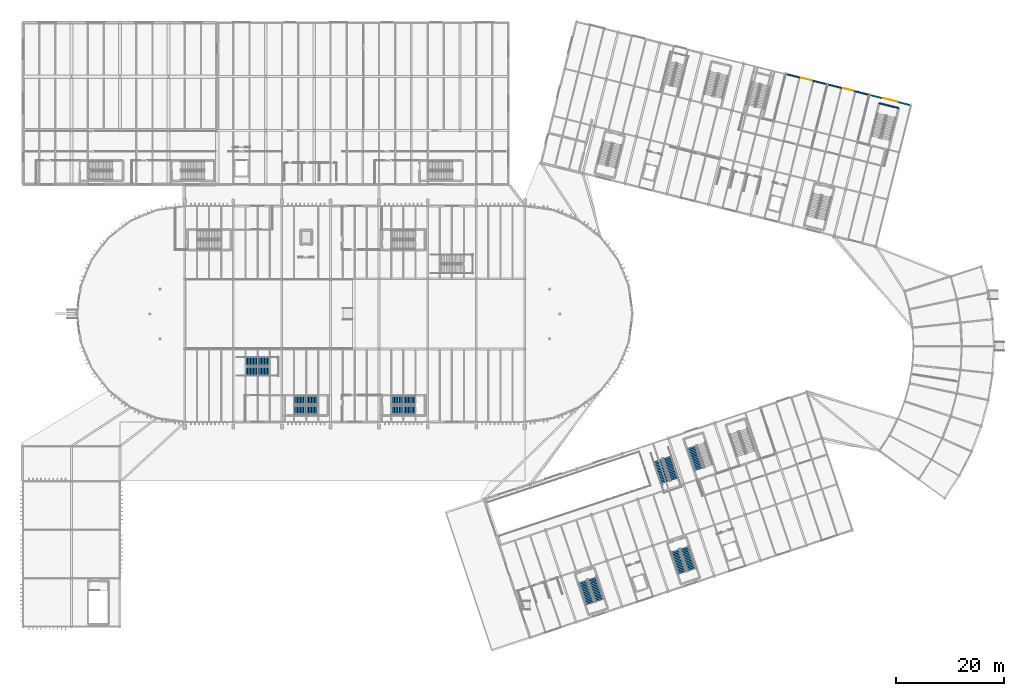
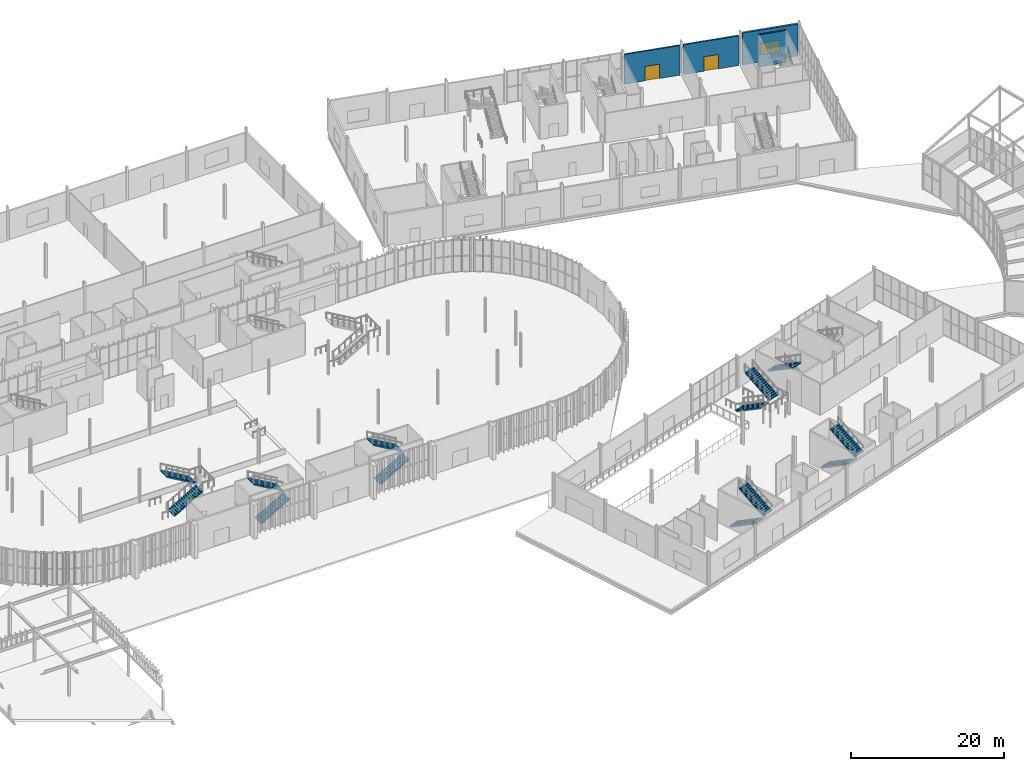
# One storey, part 130 of 158: 13 stair flights, 4 walls, 2 doors, 1 window, 3 openings, 7 elements without a shape of their own.
"""IFC4 building model written with IfcOpenShell, lengths in metres."""

from ifc_helpers import new_model, si_unit, derived_unit, direction, frame, frame_2d, origin, place, context, subcontext, project, spatial, polyline, rectangle, outline, extrude, material, layer, layer_set, type_object, element, fill, aggregate, save


model = new_model("IFC4")

# Units and contexts
model_context = context("Model", 3, precision=1e-05, world=origin(), true_north=direction((0.0, 1.0)))
body_context = subcontext(model_context, "Body", "Model", "MODEL_VIEW")
ifc_project = project(units=[si_unit("LENGTHUNIT", "METRE"), si_unit("AREAUNIT", "SQUARE_METRE"), si_unit("VOLUMEUNIT", "CUBIC_METRE"), si_unit("PLANEANGLEUNIT", "RADIAN"), si_unit("MASSUNIT", "GRAM", prefix="KILO"), si_unit("THERMODYNAMICTEMPERATUREUNIT", "KELVIN"), si_unit("TIMEUNIT", "SECOND"), derived_unit("THERMALTRANSMITTANCEUNIT", [(si_unit("MASSUNIT", "GRAM", prefix="KILO"), 1), (si_unit("THERMODYNAMICTEMPERATUREUNIT", "KELVIN"), -1), (si_unit("TIMEUNIT", "SECOND"), -3)])], contexts=[model_context])

# Site, building, storey
site_placement = place(None, origin())
site = spatial("IfcSite", under=ifc_project, at=site_placement, CompositionType="ELEMENT")
building_placement = place(site_placement, origin())
building = spatial("IfcBuilding", under=site, at=building_placement, Name="Cambertide Market Hall", CompositionType="ELEMENT")
storey_placement = place(building_placement, origin())
storey = spatial("IfcBuildingStorey", under=building, at=storey_placement, Name="L01", CompositionType="ELEMENT", Elevation=0.0)

# Wall, opening, door
ifc_material_1 = material(Name="Autoclaved Aerated Concrete Blockwork M7.5", Category="masonry")
ifc_layer_1 = layer(ifc_material_1, 0.25, Name="Insulated AAC Exterior Infill Wall 250")
ifc_layer_set_1 = layer_set([ifc_layer_1], Name="Autoclaved Aerated Concrete Blockwork M7.5")
wall_type_1 = type_object("IfcWallType", Name="Insulated AAC Exterior Infill Wall 250", PredefinedType="SOLIDWALL", material=ifc_layer_set_1)
wall_1_placement = place(storey_placement, frame((153.5869140625, 116.434326171875, 0.0), z_axis=(0.0, 0.0, 1.0), x_axis=(0.970140590431, -0.242543263766, 0.0)))
wall_1 = element("IfcWall", 1, at=wall_1_placement, inside=storey, type_object=wall_type_1, Name="Level 1 Exterior Wall EW-L01-V4N-6", PredefinedType="SOLIDWALL", context=body_context, shape_type="SweptSolid", body=[
    extrude(rectangle(XDim=7.520263671875, YDim=0.25, at=frame_2d((3.76025390625, 0.0))), origin(), (0.0, 0.0, 1.0), 4.735107421875),
])
opening_1_placement = place(wall_1_placement, frame((2.760009765625, 0.0, 0.0)))
opening_1 = element("IfcOpeningElement", 2, at=opening_1_placement, cuts=wall_1, Name="Opening ED-01", PredefinedType="OPENING", context=body_context, shape_type="SweptSolid", body=[
    extrude(rectangle(XDim=2.0, YDim=2.300048828125, at=frame_2d((1.0, 1.14990234375))), frame((0.0, 0.135009765625, 0.0), z_axis=(0.0, -1.0, 0.0), x_axis=(1.0, 0.0, 0.0)), (0.0, 0.0, 1.0), 0.27001953125),
])
ifc_material_2 = material(Name="Champagne Marine Anodized Aluminium 6063-T6 AA25", Category="aluminium")
door_type = type_object("IfcDoorType", Name="Final Exit Double Door 2000x2300", OperationType="DOUBLE_DOOR_SINGLE_SWING", PredefinedType="DOOR", material=ifc_material_2)
door_1_placement = place(opening_1_placement, origin())
door_1 = element("IfcDoor", 3, at=door_1_placement, inside=storey, type_object=door_type, Name="Level 1 Exterior Door EW-L01-V4N-6-DR", OperationType="DOUBLE_DOOR_SINGLE_SWING", OverallHeight=2.300048828125, OverallWidth=2.0, PredefinedType="DOOR", context=body_context, shape_type="SweptSolid", body=[
    extrude(rectangle(XDim=2.0, YDim=2.300048828125, at=frame_2d((1.0, 1.14990234375))), frame((0.0, 0.02490234375, 0.0), z_axis=(0.0, -1.0, 0.0), x_axis=(1.0, 0.0, 0.0)), (0.0, 0.0, 1.0), 0.050048828125),
])
fill(opening_1, door_1)

wall_2_placement = place(storey_placement, frame((161.34814453125, 114.493896484375, 0.0), z_axis=(0.0, 0.0, 1.0), x_axis=(0.970146319544, -0.242520346931, 0.0)))
wall_2 = element("IfcWall", 4, at=wall_2_placement, inside=storey, type_object=wall_type_1, Name="Level 1 Exterior Wall EW-L01-V4N-7", PredefinedType="SOLIDWALL", context=body_context, shape_type="SweptSolid", body=[
    extrude(rectangle(XDim=7.52001953125, YDim=0.25, at=frame_2d((3.760009765625, 0.0))), origin(), (0.0, 0.0, 1.0), 4.735107421875),
])
opening_2_placement = place(wall_2_placement, frame((2.760009765625, 0.0, 0.0)))
opening_2 = element("IfcOpeningElement", 5, at=opening_2_placement, cuts=wall_2, Name="Opening ED-01", PredefinedType="OPENING", context=body_context, shape_type="SweptSolid", body=[
    extrude(rectangle(XDim=2.0, YDim=2.300048828125, at=frame_2d((1.0, 1.14990234375))), frame((0.0, 0.135009765625, 0.0), z_axis=(0.0, -1.0, 0.0), x_axis=(1.0, 0.0, 0.0)), (0.0, 0.0, 1.0), 0.27001953125),
])
door_2_placement = place(opening_2_placement, origin())
door_2 = element("IfcDoor", 6, at=door_2_placement, inside=storey, type_object=door_type, Name="Level 1 Exterior Door EW-L01-V4N-7-DR", OperationType="DOUBLE_DOOR_SINGLE_SWING", OverallHeight=2.300048828125, OverallWidth=2.0, PredefinedType="DOOR", context=body_context, shape_type="SweptSolid", body=[
    extrude(rectangle(XDim=2.0, YDim=2.300048828125, at=frame_2d((1.0, 1.14990234375))), frame((0.0, 0.02490234375, 0.0), z_axis=(0.0, -1.0, 0.0), x_axis=(1.0, 0.0, 0.0)), (0.0, 0.0, 1.0), 0.050048828125),
])
fill(opening_2, door_2)

# Wall
ifc_material_3 = material(Name="Concrete B35", Category="concrete")
ifc_layer_2 = layer(ifc_material_3, 0.239990234375, Name="Stair & Lift Core Shaft Wall 240")
ifc_layer_set_2 = layer_set([ifc_layer_2], Name="Concrete B35")
wall_type_2 = type_object("IfcWallType", Name="Stair & Lift Core Shaft Wall 240", PredefinedType="SOLIDWALL", material=ifc_layer_set_2)
wall_3_placement = place(storey_placement, frame((170.67724609375, 111.0537109375, 0.0), z_axis=(0.0, 0.0, 1.0), x_axis=(0.970131009923, -0.242581581301, 0.0)))
element("IfcWall", 7, at=wall_3_placement, inside=storey, type_object=wall_type_2, Name="Level 1 Interior Wall SHW-ST-08B-L01-FAR", PredefinedType="SOLIDWALL", context=body_context, shape_type="SweptSolid", body=[
    extrude(rectangle(XDim=3.75, YDim=0.239990234375, at=frame_2d((1.875, 0.0))), origin(), (0.0, 0.0, 1.0), 5.135009765625),
])

# Wall, opening, window
ifc_material_4 = material(Name="Concrete B35", Category="concrete")
ifc_layer_3 = layer(ifc_material_4, 0.300048828125, Name="Structural Facade Shear Wall 300")
ifc_layer_set_3 = layer_set([ifc_layer_3], Name="Concrete B35")
wall_type_3 = type_object("IfcWallType", Name="Structural Facade Shear Wall 300", PredefinedType="SHEAR", material=ifc_layer_set_3)
wall_4_placement = place(storey_placement, frame((169.109375, 112.5537109375, 0.0), z_axis=(0.0, 0.0, 1.0), x_axis=(0.970138680536, -0.242550902961, 0.0)))
wall_4 = element("IfcWall", 8, at=wall_4_placement, inside=storey, type_object=wall_type_3, Name="Level 1 Exterior Wall EW-L01-V4N-8", PredefinedType="SHEAR", context=body_context, shape_type="SweptSolid", body=[
    extrude(rectangle(XDim=7.52001953125, YDim=0.300048828125, at=frame_2d((3.760009765625, 0.0))), origin(), (0.0, 0.0, 1.0), 5.10009765625),
])
opening_3_placement = place(wall_4_placement, frame((2.385009765625, 0.0, 1.0)))
opening_3 = element("IfcOpeningElement", 9, at=opening_3_placement, cuts=wall_4, Name="Opening WN-07B", PredefinedType="OPENING", context=body_context, shape_type="SweptSolid", body=[
    extrude(rectangle(XDim=2.75, YDim=1.89990234375, at=frame_2d((1.375, 0.949951171875))), frame((0.0, 0.159912109375, 0.0), z_axis=(0.0, -1.0, 0.0), x_axis=(1.0, 0.0, 0.0)), (0.0, 0.0, 1.0), 0.320068359375),
])
ifc_material_5 = material(Name="Low-E Laminated Insulated Glass", Category="glass")
window_type = type_object("IfcWindowType", Name="Craft Gallery Window 2750x1900", PartitioningType="SINGLE_PANEL", PredefinedType="WINDOW", material=ifc_material_5)
window_placement = place(opening_3_placement, origin())
window = element("IfcWindow", 10, at=window_placement, inside=storey, type_object=window_type, Name="Level 1 Window EW-L01-V4N-8-WN", OverallHeight=1.89990234375, OverallWidth=2.75, PartitioningType="SINGLE_PANEL", PredefinedType="WINDOW", context=body_context, shape_type="SweptSolid", body=[
    extrude(rectangle(XDim=2.75, YDim=1.89990234375, at=frame_2d((1.375, 0.949951171875))), frame((0.0, 0.030029296875, 0.0), z_axis=(0.0, -1.0, 0.0), x_axis=(1.0, 0.0, 0.0)), (0.0, 0.0, 1.0), 0.06005859375),
])
fill(opening_3, window)

# Stair, stair flights
ifc_material_6 = material(Name="Concrete B35", Category="concrete")
stair_type_1 = type_object("IfcStairType", Name="Concrete Dogleg Stair ST-02", PredefinedType="HALF_TURN_STAIR", material=ifc_material_6)
stair_1_placement = place(storey_placement, origin())
stair_1 = element("IfcStair", 11, at=stair_1_placement, inside=storey, type_object=stair_type_1, Name="Level 1 Exit Stair Core 02", PredefinedType="HALF_TURN_STAIR")
ifc_material_7 = material(Name="Concrete B35", Category="concrete")
stair_flight_type_1 = type_object("IfcStairFlightType", Name="Concrete Stair Flight ST-02", PredefinedType="STRAIGHT", material=ifc_material_7)
stair_flight_1_placement = place(storey_placement, frame((62.300048828125, 54.125, 0.0), z_axis=(0.0, 0.0, 1.0), x_axis=(1.0, 0.0, 0.0)))
stair_flight_1 = element("IfcStairFlight", 12, at=stair_flight_1_placement, type_object=stair_flight_type_1, Name="ST-02 flight 1", NumberOfRisers=16, NumberOfTreads=15, PredefinedType="STRAIGHT", RiserHeight=0.16875, TreadLength=0.29, context=body_context, shape_type="SweptSolid", body=[
    extrude(outline(polyline([(0.0, 0.0), (0.0, 0.168701171875), (0.2900390625, 0.168701171875), (0.2900390625, 0.33740234375), (0.580078125, 0.33740234375), (0.580078125, 0.50634765625), (0.8701171875, 0.50634765625), (0.8701171875, 0.675048828125), (1.159912109375, 0.675048828125), (1.159912109375, 0.84375), (1.449951171875, 0.84375), (1.449951171875, 1.012451171875), (1.739990234375, 1.012451171875), (1.739990234375, 1.18115234375), (2.030029296875, 1.18115234375), (2.030029296875, 1.35009765625), (2.320068359375, 1.35009765625), (2.320068359375, 1.518798828125), (2.610107421875, 1.518798828125), (2.610107421875, 1.6875), (2.89990234375, 1.6875), (2.89990234375, 1.856201171875), (3.18994140625, 1.856201171875), (3.18994140625, 2.02490234375), (3.47998046875, 2.02490234375), (3.47998046875, 2.19384765625), (3.77001953125, 2.19384765625), (3.77001953125, 2.362548828125), (4.06005859375, 2.362548828125), (4.06005859375, 2.53125), (4.35009765625, 2.53125), (4.35009765625, 2.699951171875), (4.35009765625, 2.35791015625), (0.298095703125, 0.0), (0.0, 0.0)])), frame((0.0, 0.824951171875, 0.0), z_axis=(0.0, -1.0, 0.0), x_axis=(1.0, 0.0, 0.0)), (0.0, 0.0, 1.0), 1.64990234375),
])
stair_flight_2_placement = place(storey_placement, frame((66.64990234375, 55.97509765625, 2.699951171875), z_axis=(0.0, 0.0, 1.0), x_axis=(-1.0, 0.0, 0.0)))
stair_flight_2 = element("IfcStairFlight", 13, at=stair_flight_2_placement, type_object=stair_flight_type_1, Name="ST-02 flight 2", NumberOfRisers=16, NumberOfTreads=15, PredefinedType="STRAIGHT", RiserHeight=0.16875, TreadLength=0.29, context=body_context, shape_type="SweptSolid", body=[
    extrude(outline(polyline([(0.0, 0.0), (0.0, 0.168701171875), (0.2900390625, 0.168701171875), (0.2900390625, 0.33740234375), (0.580078125, 0.33740234375), (0.580078125, 0.50634765625), (0.8701171875, 0.50634765625), (0.8701171875, 0.675048828125), (1.159912109375, 0.675048828125), (1.159912109375, 0.84375), (1.449951171875, 0.84375), (1.449951171875, 1.012451171875), (1.739990234375, 1.012451171875), (1.739990234375, 1.18115234375), (2.030029296875, 1.18115234375), (2.030029296875, 1.35009765625), (2.320068359375, 1.35009765625), (2.320068359375, 1.518798828125), (2.610107421875, 1.518798828125), (2.610107421875, 1.6875), (2.89990234375, 1.6875), (2.89990234375, 1.856201171875), (3.18994140625, 1.856201171875), (3.18994140625, 2.02490234375), (3.47998046875, 2.02490234375), (3.47998046875, 2.19384765625), (3.77001953125, 2.19384765625), (3.77001953125, 2.362548828125), (4.06005859375, 2.362548828125), (4.06005859375, 2.53125), (4.35009765625, 2.53125), (4.35009765625, 2.699951171875), (4.35009765625, 2.35791015625), (0.298095703125, 0.0), (0.0, 0.0)])), frame((0.0, 0.824951171875, 0.0), z_axis=(0.0, -1.0, 0.0), x_axis=(1.0, 0.0, 0.0)), (0.0, 0.0, 1.0), 1.64990234375),
])
aggregate(stair_1, [stair_flight_1, stair_flight_2])

ifc_material_8 = material(Name="Concrete B35", Category="concrete")
stair_type_2 = type_object("IfcStairType", Name="Concrete Dogleg Stair ST-02B", PredefinedType="HALF_TURN_STAIR", material=ifc_material_8)
stair_2_placement = place(storey_placement, origin())
stair_2 = element("IfcStair", 14, at=stair_2_placement, inside=storey, type_object=stair_type_2, Name="Level 1 Exit Stair Core 02B", PredefinedType="HALF_TURN_STAIR")
ifc_material_9 = material(Name="Concrete B35", Category="concrete")
stair_flight_type_2 = type_object("IfcStairFlightType", Name="Concrete Stair Flight ST-02B", PredefinedType="STRAIGHT", material=ifc_material_9)
stair_flight_3_placement = place(storey_placement, frame((80.300048828125, 54.125, 0.0), z_axis=(0.0, 0.0, 1.0), x_axis=(1.0, 0.0, 0.0)))
stair_flight_3 = element("IfcStairFlight", 15, at=stair_flight_3_placement, type_object=stair_flight_type_2, Name="ST-02B flight 1", NumberOfRisers=16, NumberOfTreads=15, PredefinedType="STRAIGHT", RiserHeight=0.16875, TreadLength=0.29, context=body_context, shape_type="SweptSolid", body=[
    extrude(outline(polyline([(0.0, 0.0), (0.0, 0.168701171875), (0.2900390625, 0.168701171875), (0.2900390625, 0.33740234375), (0.580078125, 0.33740234375), (0.580078125, 0.50634765625), (0.8701171875, 0.50634765625), (0.8701171875, 0.675048828125), (1.159912109375, 0.675048828125), (1.159912109375, 0.84375), (1.449951171875, 0.84375), (1.449951171875, 1.012451171875), (1.739990234375, 1.012451171875), (1.739990234375, 1.18115234375), (2.030029296875, 1.18115234375), (2.030029296875, 1.35009765625), (2.320068359375, 1.35009765625), (2.320068359375, 1.518798828125), (2.610107421875, 1.518798828125), (2.610107421875, 1.6875), (2.89990234375, 1.6875), (2.89990234375, 1.856201171875), (3.18994140625, 1.856201171875), (3.18994140625, 2.02490234375), (3.47998046875, 2.02490234375), (3.47998046875, 2.19384765625), (3.77001953125, 2.19384765625), (3.77001953125, 2.362548828125), (4.06005859375, 2.362548828125), (4.06005859375, 2.53125), (4.35009765625, 2.53125), (4.35009765625, 2.699951171875), (4.35009765625, 2.35791015625), (0.298095703125, 0.0), (0.0, 0.0)])), frame((0.0, 0.824951171875, 0.0), z_axis=(0.0, -1.0, 0.0), x_axis=(1.0, 0.0, 0.0)), (0.0, 0.0, 1.0), 1.64990234375),
])
stair_flight_4_placement = place(storey_placement, frame((84.64990234375, 55.97509765625, 2.699951171875), z_axis=(0.0, 0.0, 1.0), x_axis=(-1.0, 0.0, 0.0)))
stair_flight_4 = element("IfcStairFlight", 16, at=stair_flight_4_placement, type_object=stair_flight_type_2, Name="ST-02B flight 2", NumberOfRisers=16, NumberOfTreads=15, PredefinedType="STRAIGHT", RiserHeight=0.16875, TreadLength=0.29, context=body_context, shape_type="SweptSolid", body=[
    extrude(outline(polyline([(0.0, 0.0), (0.0, 0.168701171875), (0.2900390625, 0.168701171875), (0.2900390625, 0.33740234375), (0.580078125, 0.33740234375), (0.580078125, 0.50634765625), (0.8701171875, 0.50634765625), (0.8701171875, 0.675048828125), (1.159912109375, 0.675048828125), (1.159912109375, 0.84375), (1.449951171875, 0.84375), (1.449951171875, 1.012451171875), (1.739990234375, 1.012451171875), (1.739990234375, 1.18115234375), (2.030029296875, 1.18115234375), (2.030029296875, 1.35009765625), (2.320068359375, 1.35009765625), (2.320068359375, 1.518798828125), (2.610107421875, 1.518798828125), (2.610107421875, 1.6875), (2.89990234375, 1.6875), (2.89990234375, 1.856201171875), (3.18994140625, 1.856201171875), (3.18994140625, 2.02490234375), (3.47998046875, 2.02490234375), (3.47998046875, 2.19384765625), (3.77001953125, 2.19384765625), (3.77001953125, 2.362548828125), (4.06005859375, 2.362548828125), (4.06005859375, 2.53125), (4.35009765625, 2.53125), (4.35009765625, 2.699951171875), (4.35009765625, 2.35791015625), (0.298095703125, 0.0), (0.0, 0.0)])), frame((0.0, 0.824951171875, 0.0), z_axis=(0.0, -1.0, 0.0), x_axis=(1.0, 0.0, 0.0)), (0.0, 0.0, 1.0), 1.64990234375),
])
aggregate(stair_2, [stair_flight_3, stair_flight_4])

ifc_material_10 = material(Name="Concrete B35", Category="concrete")
stair_type_3 = type_object("IfcStairType", Name="Concrete Dogleg Stair ST-05A", PredefinedType="HALF_TURN_STAIR", material=ifc_material_10)
stair_3_placement = place(storey_placement, origin())
stair_3 = element("IfcStair", 17, at=stair_3_placement, inside=storey, type_object=stair_type_3, Name="Level 1 Exit Stair Core 05A", PredefinedType="HALF_TURN_STAIR")
ifc_material_11 = material(Name="Concrete B35", Category="concrete")
stair_flight_type_3 = type_object("IfcStairFlightType", Name="Concrete Stair Flight ST-05A", PredefinedType="STRAIGHT", material=ifc_material_11)
stair_flight_5_placement = place(storey_placement, frame((115.779296875, 22.427490234375, 0.0), z_axis=(0.0, 0.0, 1.0), x_axis=(0.316227768949, -0.948683297073, 0.0)))
stair_flight_5 = element("IfcStairFlight", 18, at=stair_flight_5_placement, type_object=stair_flight_type_3, Name="ST-05A flight 1", NumberOfRisers=16, NumberOfTreads=15, PredefinedType="STRAIGHT", RiserHeight=0.16875, TreadLength=0.29, context=body_context, shape_type="SweptSolid", body=[
    extrude(outline(polyline([(0.0, 0.0), (0.0, 0.168701171875), (0.2900390625, 0.168701171875), (0.2900390625, 0.33740234375), (0.580078125, 0.33740234375), (0.580078125, 0.50634765625), (0.8701171875, 0.50634765625), (0.8701171875, 0.675048828125), (1.159912109375, 0.675048828125), (1.159912109375, 0.84375), (1.449951171875, 0.84375), (1.449951171875, 1.012451171875), (1.739990234375, 1.012451171875), (1.739990234375, 1.18115234375), (2.030029296875, 1.18115234375), (2.030029296875, 1.35009765625), (2.320068359375, 1.35009765625), (2.320068359375, 1.518798828125), (2.610107421875, 1.518798828125), (2.610107421875, 1.6875), (2.89990234375, 1.6875), (2.89990234375, 1.856201171875), (3.18994140625, 1.856201171875), (3.18994140625, 2.02490234375), (3.47998046875, 2.02490234375), (3.47998046875, 2.19384765625), (3.77001953125, 2.19384765625), (3.77001953125, 2.362548828125), (4.06005859375, 2.362548828125), (4.06005859375, 2.53125), (4.35009765625, 2.53125), (4.35009765625, 2.699951171875), (4.35009765625, 2.35791015625), (0.298095703125, 0.0), (0.0, 0.0)])), frame((0.0, 0.824951171875, 0.0), z_axis=(0.0, -1.0, 0.0), x_axis=(1.0, 0.0, 0.0)), (0.0, 0.0, 1.0), 1.64990234375),
])
stair_flight_6_placement = place(storey_placement, frame((118.909912109375, 18.8857421875, 2.699951171875), z_axis=(0.0, 0.0, 1.0), x_axis=(-0.316227768949, 0.948683297073, 0.0)))
stair_flight_6 = element("IfcStairFlight", 19, at=stair_flight_6_placement, type_object=stair_flight_type_3, Name="ST-05A flight 2", NumberOfRisers=16, NumberOfTreads=15, PredefinedType="STRAIGHT", RiserHeight=0.16875, TreadLength=0.29, context=body_context, shape_type="SweptSolid", body=[
    extrude(outline(polyline([(0.0, 0.0), (0.0, 0.168701171875), (0.2900390625, 0.168701171875), (0.2900390625, 0.33740234375), (0.580078125, 0.33740234375), (0.580078125, 0.50634765625), (0.8701171875, 0.50634765625), (0.8701171875, 0.675048828125), (1.159912109375, 0.675048828125), (1.159912109375, 0.84375), (1.449951171875, 0.84375), (1.449951171875, 1.012451171875), (1.739990234375, 1.012451171875), (1.739990234375, 1.18115234375), (2.030029296875, 1.18115234375), (2.030029296875, 1.35009765625), (2.320068359375, 1.35009765625), (2.320068359375, 1.518798828125), (2.610107421875, 1.518798828125), (2.610107421875, 1.6875), (2.89990234375, 1.6875), (2.89990234375, 1.856201171875), (3.18994140625, 1.856201171875), (3.18994140625, 2.02490234375), (3.47998046875, 2.02490234375), (3.47998046875, 2.19384765625), (3.77001953125, 2.19384765625), (3.77001953125, 2.362548828125), (4.06005859375, 2.362548828125), (4.06005859375, 2.53125), (4.35009765625, 2.53125), (4.35009765625, 2.699951171875), (4.35009765625, 2.35791015625), (0.298095703125, 0.0), (0.0, 0.0)])), frame((0.0, 0.824951171875, 0.0), z_axis=(0.0, -1.0, 0.0), x_axis=(1.0, 0.0, 0.0)), (0.0, 0.0, 1.0), 1.64990234375),
])
aggregate(stair_3, [stair_flight_5, stair_flight_6])

ifc_material_12 = material(Name="Concrete B35", Category="concrete")
stair_type_4 = type_object("IfcStairType", Name="Concrete Dogleg Stair ST-06A", PredefinedType="HALF_TURN_STAIR", material=ifc_material_12)
stair_4_placement = place(storey_placement, origin())
stair_4 = element("IfcStair", 20, at=stair_4_placement, inside=storey, type_object=stair_type_4, Name="Level 1 Exit Stair Core 06A", PredefinedType="HALF_TURN_STAIR")
ifc_material_13 = material(Name="Concrete B35", Category="concrete")
stair_flight_type_4 = type_object("IfcStairFlightType", Name="Concrete Stair Flight ST-06A", PredefinedType="STRAIGHT", material=ifc_material_13)
stair_flight_7_placement = place(storey_placement, frame((132.855712890625, 28.11962890625, 0.0), z_axis=(0.0, 0.0, 1.0), x_axis=(0.316227768949, -0.948683297073, 0.0)))
stair_flight_7 = element("IfcStairFlight", 21, at=stair_flight_7_placement, type_object=stair_flight_type_4, Name="ST-06A flight 1", NumberOfRisers=16, NumberOfTreads=15, PredefinedType="STRAIGHT", RiserHeight=0.16875, TreadLength=0.29, context=body_context, shape_type="SweptSolid", body=[
    extrude(outline(polyline([(0.0, 0.0), (0.0, 0.168701171875), (0.2900390625, 0.168701171875), (0.2900390625, 0.33740234375), (0.580078125, 0.33740234375), (0.580078125, 0.50634765625), (0.8701171875, 0.50634765625), (0.8701171875, 0.675048828125), (1.159912109375, 0.675048828125), (1.159912109375, 0.84375), (1.449951171875, 0.84375), (1.449951171875, 1.012451171875), (1.739990234375, 1.012451171875), (1.739990234375, 1.18115234375), (2.030029296875, 1.18115234375), (2.030029296875, 1.35009765625), (2.320068359375, 1.35009765625), (2.320068359375, 1.518798828125), (2.610107421875, 1.518798828125), (2.610107421875, 1.6875), (2.89990234375, 1.6875), (2.89990234375, 1.856201171875), (3.18994140625, 1.856201171875), (3.18994140625, 2.02490234375), (3.47998046875, 2.02490234375), (3.47998046875, 2.19384765625), (3.77001953125, 2.19384765625), (3.77001953125, 2.362548828125), (4.06005859375, 2.362548828125), (4.06005859375, 2.53125), (4.35009765625, 2.53125), (4.35009765625, 2.699951171875), (4.35009765625, 2.35791015625), (0.298095703125, 0.0), (0.0, 0.0)])), frame((0.0, 0.824951171875, 0.0), z_axis=(0.0, -1.0, 0.0), x_axis=(1.0, 0.0, 0.0)), (0.0, 0.0, 1.0), 1.64990234375),
])
stair_flight_8_placement = place(storey_placement, frame((135.986328125, 24.577880859375, 2.699951171875), z_axis=(0.0, 0.0, 1.0), x_axis=(-0.316227768949, 0.948683297073, 0.0)))
stair_flight_8 = element("IfcStairFlight", 22, at=stair_flight_8_placement, type_object=stair_flight_type_4, Name="ST-06A flight 2", NumberOfRisers=16, NumberOfTreads=15, PredefinedType="STRAIGHT", RiserHeight=0.16875, TreadLength=0.29, context=body_context, shape_type="SweptSolid", body=[
    extrude(outline(polyline([(0.0, 0.0), (0.0, 0.168701171875), (0.2900390625, 0.168701171875), (0.2900390625, 0.33740234375), (0.580078125, 0.33740234375), (0.580078125, 0.50634765625), (0.8701171875, 0.50634765625), (0.8701171875, 0.675048828125), (1.159912109375, 0.675048828125), (1.159912109375, 0.84375), (1.449951171875, 0.84375), (1.449951171875, 1.012451171875), (1.739990234375, 1.012451171875), (1.739990234375, 1.18115234375), (2.030029296875, 1.18115234375), (2.030029296875, 1.35009765625), (2.320068359375, 1.35009765625), (2.320068359375, 1.518798828125), (2.610107421875, 1.518798828125), (2.610107421875, 1.6875), (2.89990234375, 1.6875), (2.89990234375, 1.856201171875), (3.18994140625, 1.856201171875), (3.18994140625, 2.02490234375), (3.47998046875, 2.02490234375), (3.47998046875, 2.19384765625), (3.77001953125, 2.19384765625), (3.77001953125, 2.362548828125), (4.06005859375, 2.362548828125), (4.06005859375, 2.53125), (4.35009765625, 2.53125), (4.35009765625, 2.699951171875), (4.35009765625, 2.35791015625), (0.298095703125, 0.0), (0.0, 0.0)])), frame((0.0, 0.824951171875, 0.0), z_axis=(0.0, -1.0, 0.0), x_axis=(1.0, 0.0, 0.0)), (0.0, 0.0, 1.0), 1.64990234375),
])
aggregate(stair_4, [stair_flight_7, stair_flight_8])

# Stair, stair flight
ifc_material_14 = material(Name="Concrete B35", Category="concrete")
stair_type_5 = type_object("IfcStairType", Name="Concrete Dogleg Stair ST-06B", PredefinedType="HALF_TURN_STAIR", material=ifc_material_14)
stair_5_placement = place(storey_placement, origin())
stair_5 = element("IfcStair", 23, at=stair_5_placement, inside=storey, type_object=stair_type_5, Name="Level 1 Exit Stair Core 06B", PredefinedType="HALF_TURN_STAIR")
ifc_material_15 = material(Name="Concrete B35", Category="concrete")
stair_flight_type_5 = type_object("IfcStairFlightType", Name="Concrete Stair Flight ST-06B", PredefinedType="STRAIGHT", material=ifc_material_15)
stair_flight_9_placement = place(storey_placement, frame((135.93896484375, 47.33056640625, 2.699951171875), z_axis=(0.0, 0.0, 1.0), x_axis=(0.316227768949, -0.948683297073, 0.0)))
stair_flight_9 = element("IfcStairFlight", 24, at=stair_flight_9_placement, type_object=stair_flight_type_5, Name="ST-06B flight 2", NumberOfRisers=16, NumberOfTreads=15, PredefinedType="STRAIGHT", RiserHeight=0.16875, TreadLength=0.29, context=body_context, shape_type="SweptSolid", body=[
    extrude(outline(polyline([(0.0, 0.0), (0.0, 0.168701171875), (0.2900390625, 0.168701171875), (0.2900390625, 0.33740234375), (0.580078125, 0.33740234375), (0.580078125, 0.50634765625), (0.8701171875, 0.50634765625), (0.8701171875, 0.675048828125), (1.159912109375, 0.675048828125), (1.159912109375, 0.84375), (1.449951171875, 0.84375), (1.449951171875, 1.012451171875), (1.739990234375, 1.012451171875), (1.739990234375, 1.18115234375), (2.030029296875, 1.18115234375), (2.030029296875, 1.35009765625), (2.320068359375, 1.35009765625), (2.320068359375, 1.518798828125), (2.610107421875, 1.518798828125), (2.610107421875, 1.6875), (2.89990234375, 1.6875), (2.89990234375, 1.856201171875), (3.18994140625, 1.856201171875), (3.18994140625, 2.02490234375), (3.47998046875, 2.02490234375), (3.47998046875, 2.19384765625), (3.77001953125, 2.19384765625), (3.77001953125, 2.362548828125), (4.06005859375, 2.362548828125), (4.06005859375, 2.53125), (4.35009765625, 2.53125), (4.35009765625, 2.699951171875), (4.35009765625, 2.35791015625), (0.298095703125, 0.0), (0.0, 0.0)])), frame((0.0, 0.824951171875, 0.0), z_axis=(0.0, -1.0, 0.0), x_axis=(1.0, 0.0, 0.0)), (0.0, 0.0, 1.0), 1.64990234375),
])
aggregate(stair_5, [stair_flight_9])

# Stair, stair flights
ifc_material_16 = material(Name="Concrete B35", Category="concrete")
stair_type_6 = type_object("IfcStairType", Name="Concrete Dogleg Stair ST-10", PredefinedType="HALF_TURN_STAIR", material=ifc_material_16)
stair_6_placement = place(storey_placement, origin())
stair_6 = element("IfcStair", 25, at=stair_6_placement, inside=storey, type_object=stair_type_6, Name="Level 1 West Lantern Mezzanine Feature Stair", PredefinedType="HALF_TURN_STAIR")
ifc_material_17 = material(Name="Concrete B35", Category="concrete")
stair_flight_type_6 = type_object("IfcStairFlightType", Name="Concrete Stair Flight ST-10", PredefinedType="STRAIGHT", material=ifc_material_17)
stair_flight_10_placement = place(storey_placement, frame((53.300048828125, 61.324951171875, 0.0), z_axis=(0.0, 0.0, 1.0), x_axis=(1.0, 0.0, 0.0)))
stair_flight_10 = element("IfcStairFlight", 26, at=stair_flight_10_placement, type_object=stair_flight_type_6, Name="ST-10 flight 1", NumberOfRisers=16, NumberOfTreads=15, PredefinedType="STRAIGHT", RiserHeight=0.16875, TreadLength=0.29, context=body_context, shape_type="SweptSolid", body=[
    extrude(outline(polyline([(0.0, 0.0), (0.0, 0.168701171875), (0.2900390625, 0.168701171875), (0.2900390625, 0.33740234375), (0.580078125, 0.33740234375), (0.580078125, 0.50634765625), (0.8701171875, 0.50634765625), (0.8701171875, 0.675048828125), (1.159912109375, 0.675048828125), (1.159912109375, 0.84375), (1.449951171875, 0.84375), (1.449951171875, 1.012451171875), (1.739990234375, 1.012451171875), (1.739990234375, 1.18115234375), (2.030029296875, 1.18115234375), (2.030029296875, 1.35009765625), (2.320068359375, 1.35009765625), (2.320068359375, 1.518798828125), (2.610107421875, 1.518798828125), (2.610107421875, 1.6875), (2.89990234375, 1.6875), (2.89990234375, 1.856201171875), (3.18994140625, 1.856201171875), (3.18994140625, 2.02490234375), (3.47998046875, 2.02490234375), (3.47998046875, 2.19384765625), (3.77001953125, 2.19384765625), (3.77001953125, 2.362548828125), (4.06005859375, 2.362548828125), (4.06005859375, 2.53125), (4.35009765625, 2.53125), (4.35009765625, 2.699951171875), (4.35009765625, 2.35791015625), (0.298095703125, 0.0), (0.0, 0.0)])), frame((0.0, 0.824951171875, 0.0), z_axis=(0.0, -1.0, 0.0), x_axis=(1.0, 0.0, 0.0)), (0.0, 0.0, 1.0), 1.64990234375),
])
stair_flight_11_placement = place(storey_placement, frame((57.64990234375, 63.175048828125, 2.699951171875), z_axis=(0.0, 0.0, 1.0), x_axis=(-1.0, 0.0, 0.0)))
stair_flight_11 = element("IfcStairFlight", 27, at=stair_flight_11_placement, type_object=stair_flight_type_6, Name="ST-10 flight 2", NumberOfRisers=16, NumberOfTreads=15, PredefinedType="STRAIGHT", RiserHeight=0.16875, TreadLength=0.29, context=body_context, shape_type="SweptSolid", body=[
    extrude(outline(polyline([(0.0, 0.0), (0.0, 0.168701171875), (0.2900390625, 0.168701171875), (0.2900390625, 0.33740234375), (0.580078125, 0.33740234375), (0.580078125, 0.50634765625), (0.8701171875, 0.50634765625), (0.8701171875, 0.675048828125), (1.159912109375, 0.675048828125), (1.159912109375, 0.84375), (1.449951171875, 0.84375), (1.449951171875, 1.012451171875), (1.739990234375, 1.012451171875), (1.739990234375, 1.18115234375), (2.030029296875, 1.18115234375), (2.030029296875, 1.35009765625), (2.320068359375, 1.35009765625), (2.320068359375, 1.518798828125), (2.610107421875, 1.518798828125), (2.610107421875, 1.6875), (2.89990234375, 1.6875), (2.89990234375, 1.856201171875), (3.18994140625, 1.856201171875), (3.18994140625, 2.02490234375), (3.47998046875, 2.02490234375), (3.47998046875, 2.19384765625), (3.77001953125, 2.19384765625), (3.77001953125, 2.362548828125), (4.06005859375, 2.362548828125), (4.06005859375, 2.53125), (4.35009765625, 2.53125), (4.35009765625, 2.699951171875), (4.35009765625, 2.35791015625), (0.298095703125, 0.0), (0.0, 0.0)])), frame((0.0, 0.824951171875, 0.0), z_axis=(0.0, -1.0, 0.0), x_axis=(1.0, 0.0, 0.0)), (0.0, 0.0, 1.0), 1.64990234375),
])
aggregate(stair_6, [stair_flight_10, stair_flight_11])

ifc_material_18 = material(Name="Concrete B35", Category="concrete")
stair_type_7 = type_object("IfcStairType", Name="Concrete Dogleg Stair ST-12", PredefinedType="HALF_TURN_STAIR", material=ifc_material_18)
stair_7_placement = place(storey_placement, origin())
stair_7 = element("IfcStair", 28, at=stair_7_placement, inside=storey, type_object=stair_type_7, Name="Level 1 Riverside Food Court Atrium Stair", PredefinedType="HALF_TURN_STAIR")
ifc_material_19 = material(Name="Concrete B35", Category="concrete")
stair_flight_type_7 = type_object("IfcStairFlightType", Name="Concrete Stair Flight ST-12", PredefinedType="STRAIGHT", material=ifc_material_19)
stair_flight_12_placement = place(storey_placement, frame((129.64599609375, 44.864013671875, 0.0), z_axis=(0.0, 0.0, 1.0), x_axis=(0.316227768949, -0.948683297073, 0.0)))
stair_flight_12 = element("IfcStairFlight", 29, at=stair_flight_12_placement, type_object=stair_flight_type_7, Name="ST-12 flight 1", NumberOfRisers=16, NumberOfTreads=15, PredefinedType="STRAIGHT", RiserHeight=0.16875, TreadLength=0.29, context=body_context, shape_type="SweptSolid", body=[
    extrude(outline(polyline([(0.0, 0.0), (0.0, 0.168701171875), (0.2900390625, 0.168701171875), (0.2900390625, 0.33740234375), (0.580078125, 0.33740234375), (0.580078125, 0.50634765625), (0.8701171875, 0.50634765625), (0.8701171875, 0.675048828125), (1.159912109375, 0.675048828125), (1.159912109375, 0.84375), (1.449951171875, 0.84375), (1.449951171875, 1.012451171875), (1.739990234375, 1.012451171875), (1.739990234375, 1.18115234375), (2.030029296875, 1.18115234375), (2.030029296875, 1.35009765625), (2.320068359375, 1.35009765625), (2.320068359375, 1.518798828125), (2.610107421875, 1.518798828125), (2.610107421875, 1.6875), (2.89990234375, 1.6875), (2.89990234375, 1.856201171875), (3.18994140625, 1.856201171875), (3.18994140625, 2.02490234375), (3.47998046875, 2.02490234375), (3.47998046875, 2.19384765625), (3.77001953125, 2.19384765625), (3.77001953125, 2.362548828125), (4.06005859375, 2.362548828125), (4.06005859375, 2.53125), (4.35009765625, 2.53125), (4.35009765625, 2.699951171875), (4.35009765625, 2.35791015625), (0.298095703125, 0.0), (0.0, 0.0)])), frame((0.0, 0.824951171875, 0.0), z_axis=(0.0, -1.0, 0.0), x_axis=(1.0, 0.0, 0.0)), (0.0, 0.0, 1.0), 1.64990234375),
])
stair_flight_13_placement = place(storey_placement, frame((132.776611328125, 41.322265625, 2.699951171875), z_axis=(0.0, 0.0, 1.0), x_axis=(-0.316227768949, 0.948683297073, 0.0)))
stair_flight_13 = element("IfcStairFlight", 30, at=stair_flight_13_placement, type_object=stair_flight_type_7, Name="ST-12 flight 2", NumberOfRisers=16, NumberOfTreads=15, PredefinedType="STRAIGHT", RiserHeight=0.16875, TreadLength=0.29, context=body_context, shape_type="SweptSolid", body=[
    extrude(outline(polyline([(0.0, 0.0), (0.0, 0.168701171875), (0.2900390625, 0.168701171875), (0.2900390625, 0.33740234375), (0.580078125, 0.33740234375), (0.580078125, 0.50634765625), (0.8701171875, 0.50634765625), (0.8701171875, 0.675048828125), (1.159912109375, 0.675048828125), (1.159912109375, 0.84375), (1.449951171875, 0.84375), (1.449951171875, 1.012451171875), (1.739990234375, 1.012451171875), (1.739990234375, 1.18115234375), (2.030029296875, 1.18115234375), (2.030029296875, 1.35009765625), (2.320068359375, 1.35009765625), (2.320068359375, 1.518798828125), (2.610107421875, 1.518798828125), (2.610107421875, 1.6875), (2.89990234375, 1.6875), (2.89990234375, 1.856201171875), (3.18994140625, 1.856201171875), (3.18994140625, 2.02490234375), (3.47998046875, 2.02490234375), (3.47998046875, 2.19384765625), (3.77001953125, 2.19384765625), (3.77001953125, 2.362548828125), (4.06005859375, 2.362548828125), (4.06005859375, 2.53125), (4.35009765625, 2.53125), (4.35009765625, 2.699951171875), (4.35009765625, 2.35791015625), (0.298095703125, 0.0), (0.0, 0.0)])), frame((0.0, 0.824951171875, 0.0), z_axis=(0.0, -1.0, 0.0), x_axis=(1.0, 0.0, 0.0)), (0.0, 0.0, 1.0), 1.64990234375),
])
aggregate(stair_7, [stair_flight_12, stair_flight_13])

save(model, "model.ifc")
